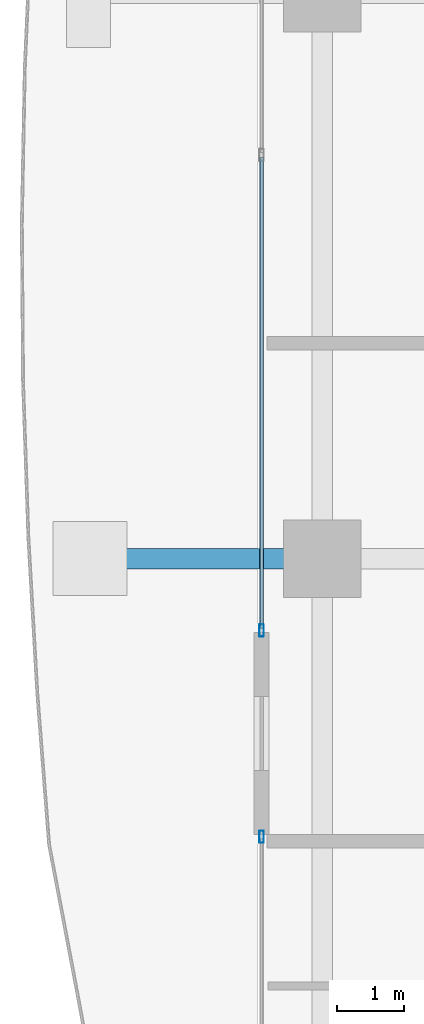
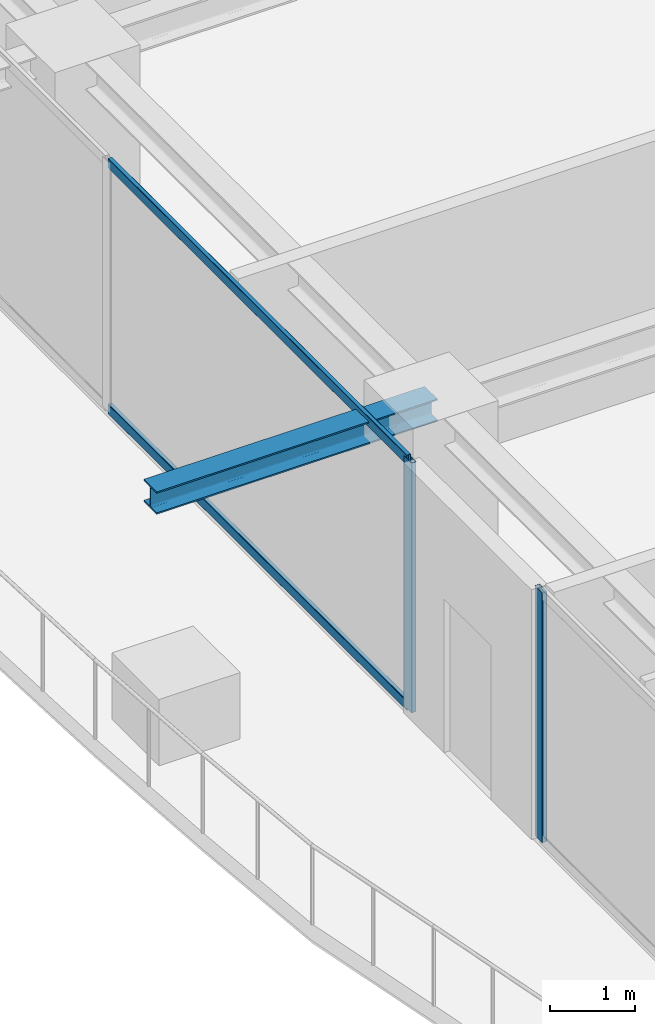
# One storey, part 8 of 39: 4 members, 1 beam, 2 elements without a shape of their own.
"""IFC4 building model written with IfcOpenShell, lengths in metres."""

import ifcopenshell
import ifcopenshell.guid

model = None  # the IFC model being written
_history = None  # IfcOwnerHistory: only IFC2X3 demands one
_inside = {}  # id of a spatial element -> (the spatial element, [elements in it])
_under = {}  # id of a project, library or spatial element -> (it, [spatial elements below it])
_declared = {}  # id of a project -> (the project, [libraries it declares])
_typed = {}  # id of a type object -> (the type object, [elements of that type])
_made_of = {}  # id of a material, layer set ... -> (it, [elements and type objects made of it])


def new_model(schema):
    """Start an empty IFC model of exactly this schema.

    Asked for "IFC4X3", IfcOpenShell would pick the latest addendum, in which some entities
    have other attributes; the version numbers below select the first issue.
    IFC2X3 requires an IfcOwnerHistory on every rooted entity: one is made here for all.
    """
    global model, _history
    if schema == "IFC4X3":
        model = ifcopenshell.file(schema_version=(4, 3, 0, 0))
    else:
        model = ifcopenshell.file(schema=schema)
    _inside.clear()
    _under.clear()
    _declared.clear()
    _typed.clear()
    _made_of.clear()
    _history = None
    if model.schema == "IFC2X3":
        org = make("IfcOrganization", Name="unknown")
        user = make(
            "IfcPersonAndOrganization",
            ThePerson=make("IfcPerson", FamilyName="unknown"),
            TheOrganization=org,
        )
        app = make(
            "IfcApplication",
            ApplicationDeveloper=org,
            Version="unknown",
            ApplicationFullName="unknown",
            ApplicationIdentifier="unknown",
        )
        _history = make(
            "IfcOwnerHistory",
            OwningUser=user,
            OwningApplication=app,
            ChangeAction="ADDED",
            CreationDate=0,
        )
    return model


def make(cls, **values):
    """One entity of the class cls with the attributes given. An attribute that is None is left unset."""
    return model.create_entity(
        cls, **{name: value for name, value in values.items() if value is not None}
    )


def rooted(cls, **values):
    """An entity with a GlobalId (a new one), such as an element, a storey or a relation."""
    return make(cls, GlobalId=ifcopenshell.guid.new(), OwnerHistory=_history, **values)


def si_unit(unit_type, name, prefix=None):
    """IfcSIUnit, for example si_unit("LENGTHUNIT", "METRE", prefix="MILLI")."""
    return make("IfcSIUnit", UnitType=unit_type, Prefix=prefix, Name=name)


def assignment(units):
    """IfcUnitAssignment: the units of a project."""
    return None if units is None else make("IfcUnitAssignment", Units=units)


def point(xyz):
    """IfcCartesianPoint."""
    return None if xyz is None else make("IfcCartesianPoint", Coordinates=xyz)


def direction(xyz):
    """IfcDirection."""
    return None if xyz is None else make("IfcDirection", DirectionRatios=xyz)


def frame(location, z_axis=None, x_axis=None):
    """IfcAxis2Placement3D, a coordinate frame: its origin and axes. An axis left out is left unset."""
    return make(
        "IfcAxis2Placement3D",
        Location=point(location),
        Axis=direction(z_axis),
        RefDirection=direction(x_axis),
    )


def frame_2d(location, x_axis=None):
    """IfcAxis2Placement2D, a coordinate frame in the plane: its origin and x axis."""
    return make(
        "IfcAxis2Placement2D", Location=point(location), RefDirection=direction(x_axis)
    )


def origin():
    """The frame at (0, 0, 0) with its axes left unset."""
    return frame((0.0, 0.0, 0.0))


def origin_2d():
    """The frame at (0, 0) in the plane with its x axis left unset."""
    return frame_2d((0.0, 0.0))


def place(relative_to, where):
    """IfcLocalPlacement: puts the frame where relative to a parent placement (None: the world)."""
    return make(
        "IfcLocalPlacement", PlacementRelTo=relative_to, RelativePlacement=where
    )


def context(
    kind, dimensions, precision=None, world=None, true_north=None, identifier=None
):
    """IfcGeometricRepresentationContext, for example the 3D "Model" context."""
    return make(
        "IfcGeometricRepresentationContext",
        ContextIdentifier=identifier,
        ContextType=kind,
        CoordinateSpaceDimension=dimensions,
        Precision=precision,
        WorldCoordinateSystem=world,
        TrueNorth=true_north,
    )


def subcontext(parent, identifier, kind, view, scale=None):
    """IfcGeometricRepresentationSubContext, for example "Body" below "Model"."""
    return make(
        "IfcGeometricRepresentationSubContext",
        ContextIdentifier=identifier,
        ContextType=kind,
        ParentContext=parent,
        TargetScale=scale,
        TargetView=view,
    )


def project(units=None, contexts=None):
    """IfcProject with its units and contexts."""
    return rooted(
        "IfcProject",
        Name="project",
        RepresentationContexts=contexts,
        UnitsInContext=assignment(units),
    )


def spatial(cls, under=None, at=None, **own):
    """A site, building, storey or space (cls), placed at a placement, below another one or the project."""
    s = rooted(cls, ObjectPlacement=at, **own)
    if under is not None:
        _under.setdefault(under.id(), (under, []))[1].append(s)
    return s


def profile(cls, at=None, kind="AREA", **sizes):
    """A parametric profile (cls). Its sizes go by their IFC names, for example OverallWidth=200.0."""
    return make(cls, ProfileType=kind, Position=at, **sizes)


def hollow_rectangle(**sizes):
    """IfcRectangleHollowProfileDef."""
    return profile("IfcRectangleHollowProfileDef", **sizes)


def i_section(**sizes):
    """IfcIShapeProfileDef."""
    return profile("IfcIShapeProfileDef", **sizes)


def extrude(swept, where, along, depth):
    """IfcExtrudedAreaSolid: the profile swept, set in the frame where, extruded along a direction by depth."""
    return make(
        "IfcExtrudedAreaSolid",
        SweptArea=swept,
        Position=where,
        ExtrudedDirection=direction(along),
        Depth=depth,
    )


def shape(context_of_items, identifier, shape_type, items):
    """IfcShapeRepresentation: the items that make up one representation, for example the "Body"."""
    return make(
        "IfcShapeRepresentation",
        ContextOfItems=context_of_items,
        RepresentationIdentifier=identifier,
        RepresentationType=shape_type,
        Items=items,
    )


def source(mapping_origin, context_of_items, identifier, shape_type, items):
    """IfcRepresentationMap: a shape defined once, which mapped items show again and again."""
    return make(
        "IfcRepresentationMap",
        MappingOrigin=mapping_origin,
        MappedRepresentation=shape(context_of_items, identifier, shape_type, items),
    )


def transform(
    local_origin,
    x_axis=None,
    y_axis=None,
    z_axis=None,
    scale=None,
    scale2=None,
    scale3=None,
    uniform=True,
):
    """IfcCartesianTransformationOperator3D, or its non-uniform kind. x_axis, y_axis, z_axis: its Axis1, 2, 3."""
    if uniform:
        return make(
            "IfcCartesianTransformationOperator3D",
            Axis1=direction(x_axis),
            Axis2=direction(y_axis),
            LocalOrigin=point(local_origin),
            Scale=scale,
            Axis3=direction(z_axis),
        )
    return make(
        "IfcCartesianTransformationOperator3DnonUniform",
        Axis1=direction(x_axis),
        Axis2=direction(y_axis),
        LocalOrigin=point(local_origin),
        Scale=scale,
        Axis3=direction(z_axis),
        Scale2=scale2,
        Scale3=scale3,
    )


def mapped(mapping_source, mapping_target):
    """IfcMappedItem: shows the shape of a source again, moved by a transform."""
    return make(
        "IfcMappedItem", MappingSource=mapping_source, MappingTarget=mapping_target
    )


def material(Name=None, Category=None):
    """IfcMaterial."""
    return make("IfcMaterial", Name=Name, Category=Category)


def layer(
    of_material, thickness, ventilated=None, Name=None, Category=None, Priority=None
):
    """IfcMaterialLayer: one layer of a wall or slab, of a material (None: an air gap)."""
    return make(
        "IfcMaterialLayer",
        Material=of_material,
        LayerThickness=thickness,
        IsVentilated=ventilated,
        Name=Name,
        Category=Category,
        Priority=Priority,
    )


def layer_set(layers, Name=None):
    """IfcMaterialLayerSet."""
    return make("IfcMaterialLayerSet", MaterialLayers=layers, LayerSetName=Name)


def material_profile(
    of_material, cross_section, Name=None, Category=None, Priority=None
):
    """IfcMaterialProfile: a cross section and its material."""
    return make(
        "IfcMaterialProfile",
        Name=Name,
        Material=of_material,
        Profile=cross_section,
        Priority=Priority,
        Category=Category,
    )


def profile_set(profiles, Name=None, composite=None):
    """IfcMaterialProfileSet."""
    return make(
        "IfcMaterialProfileSet",
        Name=Name,
        MaterialProfiles=profiles,
        CompositeProfile=composite,
    )


def made_of(thing, what):
    """Note that an element or type object is made of a material, layer set ...; save() writes the relation."""
    if what is not None:
        _made_of.setdefault(what.id(), (what, []))[1].append(thing)
    return thing


def type_object(cls, material=None, **own):
    """A type object (cls), such as IfcWallType, which elements share."""
    return made_of(rooted(cls, **own), material)


def element(
    cls,
    number,
    at=None,
    inside=None,
    cuts=None,
    type_object=None,
    material=None,
    context=None,
    identifier="Body",
    shape_type=None,
    held_by="IfcProductDefinitionShape",
    body=None,
    shapes=None,
    **own,
):
    """One element of the class cls, such as IfcWall. Its Tag is "e" and its number.

    at: its placement. inside: the storey or other place that contains it. cuts: it is an
    opening in that element (IfcRelVoidsElement). A single representation is given by context,
    identifier, shape_type and body (its items); several are given by shapes. held_by: the class
    of the entity that holds the representations. save() writes the other relations.
    """
    e = rooted(cls, Tag="e%d" % number, ObjectPlacement=at, **own)
    if body is not None:
        shapes = [shape(context, identifier, shape_type, body)]
    if shapes is not None:
        e.Representation = make(held_by, Representations=shapes)
    if inside is not None:
        _inside.setdefault(inside.id(), (inside, []))[1].append(e)
    if cuts is not None:
        rooted(
            "IfcRelVoidsElement", RelatingBuildingElement=cuts, RelatedOpeningElement=e
        )
    if type_object is not None:
        _typed.setdefault(type_object.id(), (type_object, []))[1].append(e)
    return made_of(e, material)


def aggregate(whole, parts):
    """IfcRelAggregates: a whole, such as a stair, and the parts it consists of."""
    return rooted("IfcRelAggregates", RelatingObject=whole, RelatedObjects=parts)


def save(model, path):
    """Write the relations noted so far, then the file.

    IfcRelAggregates (storeys below a building ...), IfcRelContainedInSpatialStructure (elements
    in a storey), IfcRelDefinesByType, IfcRelAssociatesMaterial and IfcRelDeclares: one each for
    every whole, place, type object, material and project.
    """
    for whole, parts in _under.values():
        aggregate(whole, parts)
    for where, things in _inside.values():
        rooted(
            "IfcRelContainedInSpatialStructure",
            RelatedElements=things,
            RelatingStructure=where,
        )
    for kind, things in _typed.values():
        rooted("IfcRelDefinesByType", RelatedObjects=things, RelatingType=kind)
    for what, things in _made_of.values():
        rooted("IfcRelAssociatesMaterial", RelatedObjects=things, RelatingMaterial=what)
    for by, libraries in _declared.values():
        rooted("IfcRelDeclares", RelatingContext=by, RelatedDefinitions=libraries)
    model.write(path)


model = new_model("IFC4")

# Units and contexts
model_context = context("Model", 3, precision=1e-05, world=origin(), true_north=direction((0.0, 1.0)))
body_context = subcontext(model_context, "Body", "Model", "MODEL_VIEW")
ifc_project = project(units=[si_unit("LENGTHUNIT", "METRE"), si_unit("AREAUNIT", "SQUARE_METRE"), si_unit("VOLUMEUNIT", "CUBIC_METRE"), si_unit("PLANEANGLEUNIT", "RADIAN"), si_unit("MASSUNIT", "GRAM", prefix="KILO")], contexts=[model_context])

# Site, building, storey
site_placement = place(None, origin())
site = spatial("IfcSite", under=ifc_project, at=site_placement, CompositionType="ELEMENT")
building_placement = place(site_placement, origin())
building = spatial("IfcBuilding", under=site, at=building_placement, Name="Serunith Strait Residences", CompositionType="ELEMENT")
storey_placement = place(building_placement, frame((0.0, 0.0, 222.0)))
storey = spatial("IfcBuildingStorey", under=building, at=storey_placement, Name="L55", CompositionType="ELEMENT", Elevation=222.0)

# Beam
ifc_material_1 = material(Name="Steel S355J2", Category="steel")
ifc_material_profile_1 = material_profile(ifc_material_1, i_section(OverallWidth=0.300048828125, OverallDepth=0.320068359375, WebThickness=0.011474609375, FlangeThickness=0.0205078125, FilletRadius=0.027099609375, at=origin_2d()), Name="HEB 320")
ifc_profile_set_1 = profile_set([ifc_material_profile_1], Name="Steel S355J2")
beam_type = type_object("IfcBeamType", Name="BM-HEB320", PredefinedType="BEAM", material=ifc_profile_set_1)
shared_shape_1 = source(origin(), body_context, "Body", "SweptSolid", [
    extrude(i_section(OverallWidth=0.300048828125, OverallDepth=0.320068359375, WebThickness=0.011474609375, FlangeThickness=0.0205078125, FilletRadius=0.027099609375, at=origin_2d()), origin(), (0.0, 0.0, 1.0), 3.800048828125),
])
beam_placement = place(storey_placement, frame((8.300048828125, 21.0, 3.39697265625), z_axis=(-1.0, 0.0, 0.0), x_axis=(0.0, -1.0, 0.0)))
element("IfcBeam", 1, at=beam_placement, inside=storey, type_object=beam_type, Name="L56 Cantilevered Balcony Rib TC-W2", PredefinedType="BEAM", context=body_context, shape_type="MappedRepresentation", body=[
    mapped(shared_shape_1, transform((0.0, 0.0, 0.0), scale=1.0)),
])

# Curtain wall, member
ifc_material_2 = material(Name="Pale-Champagne Anodised Aluminium", Category="aluminium")
ifc_layer = layer(ifc_material_2, 0.199951171875, Name="Pale-Champagne Anodised Aluminium")
ifc_layer_set = layer_set([ifc_layer], Name="Pale-Champagne Anodised Aluminium")
curtain_wall_type = type_object("IfcCurtainWallType", Name="CW-SYS4", PredefinedType="NOTDEFINED", material=ifc_layer_set)
curtain_wall_1_placement = place(storey_placement, origin())
curtain_wall_1 = element("IfcCurtainWall", 2, at=curtain_wall_1_placement, inside=storey, type_object=curtain_wall_type, Name="L55 W Unitised Fritted Curtain Wall", PredefinedType="NOTDEFINED")
ifc_material_profile_2 = material_profile(ifc_material_2, hollow_rectangle(XDim=0.06494140625, YDim=0.179931640625, WallThickness=0.00341796875, InnerFilletRadius=0.00537109375, OuterFilletRadius=0.0087890625, at=origin_2d()), Name="ALU 180x65x3.5")
ifc_profile_set_2 = profile_set([ifc_material_profile_2], Name="Pale-Champagne Anodised Aluminium")
member_type_1 = type_object("IfcMemberType", Name="CW-SYS4-MULL", PredefinedType="MULLION", material=ifc_profile_set_2)
shared_shape_2 = source(origin(), body_context, "Body", "SweptSolid", [
    extrude(hollow_rectangle(XDim=0.06494140625, YDim=0.179931640625, WallThickness=0.00341796875, InnerFilletRadius=0.00537109375, OuterFilletRadius=0.0087890625, at=origin_2d()), origin(), (0.0, 0.0, 1.0), 3.574951171875),
])
member_1_placement = place(storey_placement, frame((7.39990234375, 19.9326171875, 0.0), z_axis=(0.0, 0.0, 1.0), x_axis=(1.0, 0.0, 0.0)))
member_1 = element("IfcMember", 3, at=member_1_placement, type_object=member_type_1, Name="CW-4 mullion 4", PredefinedType="MULLION", context=body_context, shape_type="MappedRepresentation", body=[
    mapped(shared_shape_2, transform((0.0, 0.0, 0.0), scale=1.0)),
])

curtain_wall_2_placement = place(storey_placement, origin())
curtain_wall_2 = element("IfcCurtainWall", 4, at=curtain_wall_2_placement, inside=storey, type_object=curtain_wall_type, Name="L55 W Unitised Fritted Curtain Wall", PredefinedType="NOTDEFINED")
member_2_placement = place(storey_placement, frame((7.39990234375, 16.867431640625, 0.0), z_axis=(0.0, 0.0, 1.0), x_axis=(1.0, 0.0, 0.0)))
member_2 = element("IfcMember", 5, at=member_2_placement, type_object=member_type_1, Name="CW-4 mullion 1", PredefinedType="MULLION", context=body_context, shape_type="MappedRepresentation", body=[
    mapped(shared_shape_2, transform((0.0, 0.0, 0.0), scale=1.0)),
])
aggregate(curtain_wall_2, [member_2])

# Member
ifc_material_profile_3 = material_profile(ifc_material_2, hollow_rectangle(XDim=0.06005859375, YDim=0.139892578125, WallThickness=0.00341796875, InnerFilletRadius=0.00537109375, OuterFilletRadius=0.0087890625, at=origin_2d()), Name="ALU 140x60x3.5")
ifc_profile_set_3 = profile_set([ifc_material_profile_3], Name="Pale-Champagne Anodised Aluminium")
member_type_2 = type_object("IfcMemberType", Name="CW-SYS4-TRAN", PredefinedType="USERDEFINED", material=ifc_profile_set_3)
shared_shape_3 = source(origin(), body_context, "Body", "SweptSolid", [
    extrude(hollow_rectangle(XDim=0.06005859375, YDim=0.139892578125, WallThickness=0.00341796875, InnerFilletRadius=0.00537109375, OuterFilletRadius=0.0087890625, at=origin_2d()), origin(), (0.0, 0.0, 1.0), 7.00244140625),
])
member_3_placement = place(storey_placement, frame((7.39990234375, 26.967529296875, 0.030029296875), z_axis=(0.0, -1.0, 0.0), x_axis=(1.0, 0.0, 0.0)))
member_3 = element("IfcMember", 6, at=member_3_placement, type_object=member_type_2, Name="CW-4 transom 3.1", ObjectType="TRANSOM", PredefinedType="USERDEFINED", context=body_context, shape_type="MappedRepresentation", body=[
    mapped(shared_shape_3, transform((0.0, 0.0, 0.0), scale=1.0)),
])

member_4_placement = place(storey_placement, frame((7.39990234375, 26.967529296875, 3.544921875), z_axis=(0.0, -1.0, 0.0), x_axis=(1.0, 0.0, 0.0)))
member_4 = element("IfcMember", 7, at=member_4_placement, type_object=member_type_2, Name="CW-4 transom 3.2", ObjectType="TRANSOM", PredefinedType="USERDEFINED", context=body_context, shape_type="MappedRepresentation", body=[
    mapped(shared_shape_3, transform((0.0, 0.0, 0.0), scale=1.0)),
])

aggregate(curtain_wall_1, [member_1, member_3, member_4])

save(model, "model.ifc")
